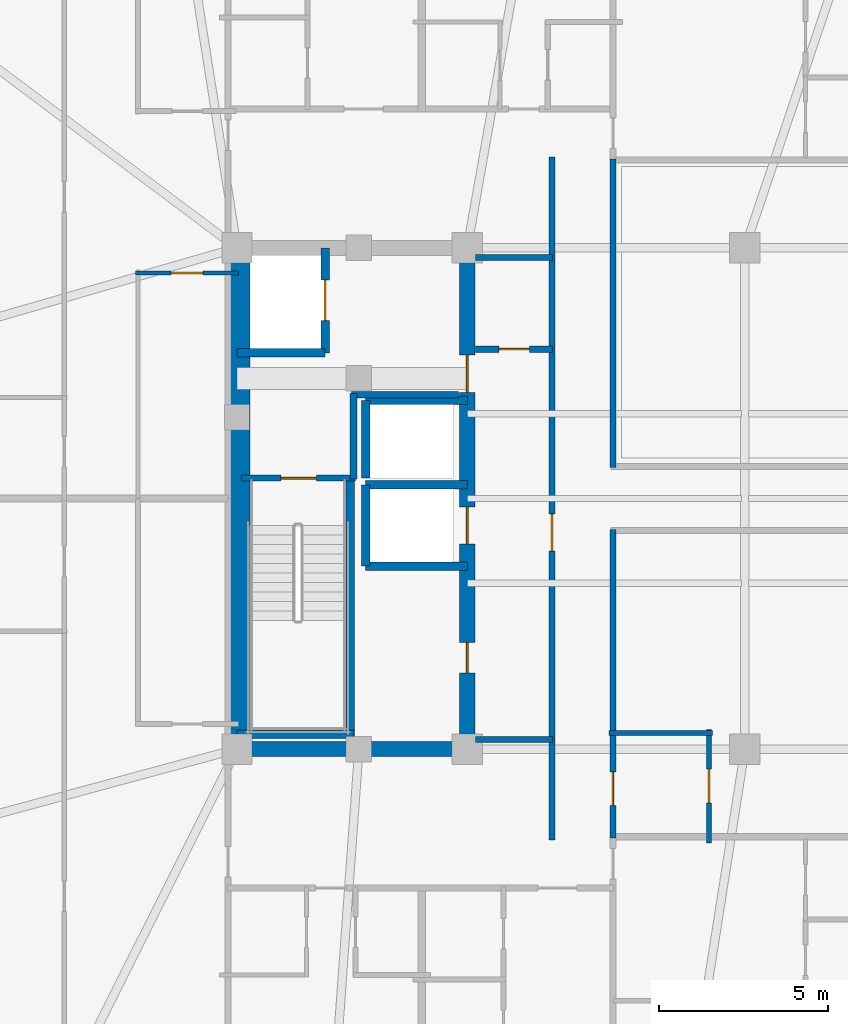
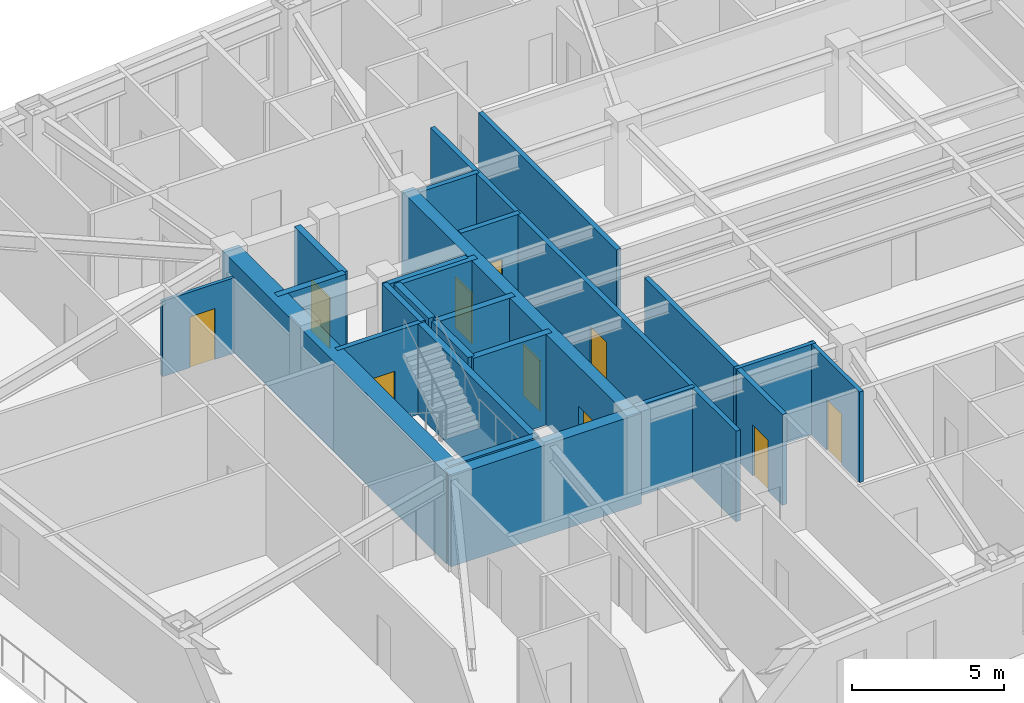
# One storey, part 4 of 15: 24 walls, 10 doors, 10 openings.
"""IFC4 building model written with IfcOpenShell, lengths in metres."""

from ifc_helpers import new_model, si_unit, direction, frame, frame_2d, origin, place, context, subcontext, project, spatial, rectangle, extrude, material, layer, layer_set, type_object, element, fill, save


model = new_model("IFC4")

# Units and contexts
model_context = context("Model", 3, precision=1e-05, world=origin(), true_north=direction((0.0, 1.0)))
body_context = subcontext(model_context, "Body", "Model", "MODEL_VIEW")
ifc_project = project(units=[si_unit("LENGTHUNIT", "METRE"), si_unit("AREAUNIT", "SQUARE_METRE"), si_unit("VOLUMEUNIT", "CUBIC_METRE"), si_unit("PLANEANGLEUNIT", "RADIAN"), si_unit("MASSUNIT", "GRAM", prefix="KILO")], contexts=[model_context])

# Site, building, storey
site_placement = place(None, origin())
site = spatial("IfcSite", under=ifc_project, at=site_placement, CompositionType="ELEMENT")
building_placement = place(site_placement, origin())
building = spatial("IfcBuilding", under=site, at=building_placement, Name="Voryun Gate Residences", CompositionType="ELEMENT")
storey_placement = place(building_placement, frame((0.0, 0.0, 171.60009765625)))
storey = spatial("IfcBuildingStorey", under=building, at=storey_placement, Name="L42", CompositionType="ELEMENT", Elevation=171.60009765625)

# Wall
ifc_material_1 = material(Name="Concrete C50/60", Category="concrete")
ifc_layer_1 = layer(ifc_material_1, 0.449951171875, Name="CW_CORE_450")
ifc_layer_set_1 = layer_set([ifc_layer_1], Name="Concrete C50/60")
wall_type_1 = type_object("IfcWallType", Name="CW_CORE_450", PredefinedType="SHEAR", material=ifc_layer_set_1)
wall_1_placement = place(storey_placement, frame((-19.425048828125, -7.39990234375, 0.0), z_axis=(0.0, 0.0, 1.0), x_axis=(1.0, 0.0, 0.0)))
element("IfcWall", 1, at=wall_1_placement, inside=storey, type_object=wall_type_1, Name="L42 Core shear wall CW-L42-WS", PredefinedType="SHEAR", context=body_context, shape_type="SweptSolid", body=[
    extrude(rectangle(XDim=7.25, YDim=0.449951171875, at=frame_2d((3.625, 0.0))), origin(), (0.0, 0.0, 1.0), 3.64990234375),
])

# Wall, openings, doors
wall_2_placement = place(storey_placement, frame((-12.39990234375, -7.39990234375, 0.0), z_axis=(0.0, 0.0, 1.0), x_axis=(0.0, 1.0, 0.0)))
wall_2 = element("IfcWall", 2, at=wall_2_placement, inside=storey, type_object=wall_type_1, Name="L42 Core shear wall CW-L42-WE", PredefinedType="SHEAR", context=body_context, shape_type="SweptSolid", body=[
    extrude(rectangle(XDim=14.7998046875, YDim=0.449951171875, at=frame_2d((7.39990234375, 0.0))), origin(), (0.0, 0.0, 1.0), 3.64990234375),
])
opening_1_placement = place(wall_2_placement, frame((6.050048828125, 0.0, 0.0)))
opening_1 = element("IfcOpeningElement", 3, at=opening_1_placement, cuts=wall_2, Name="Opening LD2", PredefinedType="OPENING", context=body_context, shape_type="SweptSolid", body=[
    extrude(rectangle(XDim=1.10009765625, YDim=2.050048828125, at=frame_2d((0.550048828125, 1.02490234375))), frame((0.0, 0.235107421875, 0.0), z_axis=(0.0, -1.0, 0.0), x_axis=(1.0, 0.0, 0.0)), (0.0, 0.0, 1.0), 0.469970703125),
])
opening_2_placement = place(wall_2_placement, frame((10.530029296875, 0.0, 0.0)))
opening_2 = element("IfcOpeningElement", 4, at=opening_2_placement, cuts=wall_2, Name="Opening D-FD60-2", PredefinedType="OPENING", context=body_context, shape_type="SweptSolid", body=[
    extrude(rectangle(XDim=1.10009765625, YDim=2.050048828125, at=frame_2d((0.550048828125, 1.02490234375))), frame((0.0, 0.235107421875, 0.0), z_axis=(0.0, -1.0, 0.0), x_axis=(1.0, 0.0, 0.0)), (0.0, 0.0, 1.0), 0.469970703125),
])
opening_3_placement = place(wall_2_placement, frame((2.25, 0.0, 0.0)))
opening_3 = element("IfcOpeningElement", 5, at=opening_3_placement, cuts=wall_2, Name="Opening D-FD60-4", PredefinedType="OPENING", context=body_context, shape_type="SweptSolid", body=[
    extrude(rectangle(XDim=0.89990234375, YDim=2.050048828125, at=frame_2d((0.449951171875, 1.02490234375))), frame((0.0, 0.235107421875, 0.0), z_axis=(0.0, -1.0, 0.0), x_axis=(1.0, 0.0, 0.0)), (0.0, 0.0, 1.0), 0.469970703125),
])
ifc_material_2 = material(Name="Painted steel fire door", Category="steel")
door_type_1 = type_object("IfcDoorType", Name="DR_FD60_FFLOB_1100", OperationType="NOTDEFINED", PredefinedType="DOOR", material=ifc_material_2)
door_1_placement = place(opening_2_placement, origin())
door_1 = element("IfcDoor", 6, at=door_1_placement, inside=storey, type_object=door_type_1, Name="Door DR-L42-CLOB-W", OperationType="SINGLE_SWING_LEFT", OverallHeight=2.050048828125, OverallWidth=1.10009765625, PredefinedType="DOOR", context=body_context, shape_type="SweptSolid", body=[
    extrude(rectangle(XDim=1.10009765625, YDim=2.050048828125, at=frame_2d((0.550048828125, 1.02490234375))), frame((0.0, 0.02490234375, 0.0), z_axis=(0.0, -1.0, 0.0), x_axis=(1.0, 0.0, 0.0)), (0.0, 0.0, 1.0), 0.050048828125),
])
fill(opening_2, door_1)
ifc_material_3 = material(Name="Painted steel fire door", Category="steel")
door_type_2 = type_object("IfcDoorType", Name="DR_FD60_RISER_900", OperationType="NOTDEFINED", PredefinedType="DOOR", material=ifc_material_3)
door_2_placement = place(opening_3_placement, origin())
door_2 = element("IfcDoor", 7, at=door_2_placement, inside=storey, type_object=door_type_2, Name="Door DR-L42-RECW1", OperationType="SINGLE_SWING_LEFT", OverallHeight=2.050048828125, OverallWidth=0.89990234375, PredefinedType="DOOR", context=body_context, shape_type="SweptSolid", body=[
    extrude(rectangle(XDim=0.89990234375, YDim=2.050048828125, at=frame_2d((0.449951171875, 1.02490234375))), frame((0.0, 0.02490234375, 0.0), z_axis=(0.0, -1.0, 0.0), x_axis=(1.0, 0.0, 0.0)), (0.0, 0.0, 1.0), 0.050048828125),
])
fill(opening_3, door_2)
ifc_material_4 = material(Name="Anodised aluminium", Category="aluminium")
door_type_3 = type_object("IfcDoorType", Name="DR_LD_PASS_1100", OperationType="NOTDEFINED", PredefinedType="DOOR", material=ifc_material_4)
door_3_placement = place(opening_1_placement, origin())
door_3 = element("IfcDoor", 8, at=door_3_placement, inside=storey, type_object=door_type_3, Name="Lift EL-P4 sliding landing door L42", OperationType="SLIDING_TO_LEFT", OverallHeight=2.050048828125, OverallWidth=1.10009765625, PredefinedType="DOOR", context=body_context, shape_type="SweptSolid", body=[
    extrude(rectangle(XDim=1.10009765625, YDim=2.050048828125, at=frame_2d((0.550048828125, 1.02490234375))), frame((0.0, 0.02490234375, 0.0), z_axis=(0.0, -1.0, 0.0), x_axis=(1.0, 0.0, 0.0)), (0.0, 0.0, 1.0), 0.050048828125),
])
fill(opening_1, door_3)

# Wall
ifc_material_5 = material(Name="Concrete C60/75", Category="concrete")
ifc_layer_2 = layer(ifc_material_5, 0.64990234375, Name="CW_CORE_650")
ifc_layer_set_2 = layer_set([ifc_layer_2], Name="Concrete C60/75")
wall_type_2 = type_object("IfcWallType", Name="CW_CORE_650", PredefinedType="SHEAR", material=ifc_layer_set_2)
wall_3_placement = place(storey_placement, frame((-19.14501953125, -7.39990234375, 0.0), z_axis=(0.0, 0.0, 1.0), x_axis=(0.0, 1.0, 0.0)))
element("IfcWall", 9, at=wall_3_placement, inside=storey, type_object=wall_type_2, Name="L42 Core shear wall CW-L42-WW", PredefinedType="SHEAR", context=body_context, shape_type="SweptSolid", body=[
    extrude(rectangle(XDim=14.7998046875, YDim=0.64990234375, at=frame_2d((7.39990234375, 0.0))), origin(), (0.0, 0.0, 1.0), 3.64990234375),
])

# Wall, opening, door
ifc_material_6 = material(Name="Gypsum acoustic fireboard")
ifc_layer_3 = layer(ifc_material_6, 0.179931640625, Name="W_CORR_RATED_180")
ifc_layer_set_3 = layer_set([ifc_layer_3], Name="Gypsum acoustic fireboard")
wall_type_3 = type_object("IfcWallType", Name="W_CORR_RATED_180", PredefinedType="PARTITIONING", material=ifc_layer_set_3)
wall_4_placement = place(storey_placement, frame((-19.06005859375, 0.60009765625, 0.0), z_axis=(0.0, 0.0, 1.0), x_axis=(1.0, 0.0, 0.0)))
wall_4 = element("IfcWall", 10, at=wall_4_placement, inside=storey, type_object=wall_type_3, Name="Partition wall WP-L42-STV-W", PredefinedType="PARTITIONING", context=body_context, shape_type="SweptSolid", body=[
    extrude(rectangle(XDim=3.360107421875, YDim=0.179931640625, at=frame_2d((1.68017578125, 0.0))), origin(), (0.0, 0.0, 1.0), 3.64990234375),
])
opening_4_placement = place(wall_4_placement, frame((1.155029296875, 0.0, 0.0)))
opening_4 = element("IfcOpeningElement", 11, at=opening_4_placement, cuts=wall_4, Name="Opening D-FD60-1", PredefinedType="OPENING", context=body_context, shape_type="SweptSolid", body=[
    extrude(rectangle(XDim=1.050048828125, YDim=2.050048828125, at=frame_2d((0.52490234375, 1.02490234375))), frame((0.0, 0.099853515625, 0.0), z_axis=(0.0, -1.0, 0.0), x_axis=(1.0, 0.0, 0.0)), (0.0, 0.0, 1.0), 0.199951171875),
])
ifc_material_7 = material(Name="Painted steel fire door", Category="steel")
door_type_4 = type_object("IfcDoorType", Name="DR_FD60_STAIR_1050", OperationType="NOTDEFINED", PredefinedType="DOOR", material=ifc_material_7)
door_4_placement = place(opening_4_placement, origin())
door_4 = element("IfcDoor", 12, at=door_4_placement, inside=storey, type_object=door_type_4, Name="Door DR-L42-ST-W", OperationType="SINGLE_SWING_LEFT", OverallHeight=2.050048828125, OverallWidth=1.050048828125, PredefinedType="DOOR", context=body_context, shape_type="SweptSolid", body=[
    extrude(rectangle(XDim=1.050048828125, YDim=2.050048828125, at=frame_2d((0.52490234375, 1.02490234375))), frame((0.0, 0.02490234375, 0.0), z_axis=(0.0, -1.0, 0.0), x_axis=(1.0, 0.0, 0.0)), (0.0, 0.0, 1.0), 0.050048828125),
])
fill(opening_4, door_4)

# Walls
for number, where, z_axis, x_axis, name in (
    (13, (-12.14990234375, 7.1201171875, 0.0), (0.0, 0.0, 1.0), (1.0, 0.0, 0.0), "Partition wall WP-L42-PLBN-W"),
    (14, (-12.14990234375, -7.1201171875, 0.0), (0.0, 0.0, 1.0), (1.0, 0.0, 0.0), "Partition wall WP-L42-PLBS-W"),
):
    element("IfcWall", number, at=place(storey_placement, frame(where, z_axis=z_axis, x_axis=x_axis)), inside=storey, type_object=wall_type_3, Name=name, PredefinedType="PARTITIONING", context=body_context, shape_type="SweptSolid", body=[
        extrude(rectangle(XDim=2.27001953125, YDim=0.179931640625, at=frame_2d((1.135009765625, 0.0))), origin(), (0.0, 0.0, 1.0), 3.64990234375),
    ])

# Wall, opening, door
wall_5_placement = place(storey_placement, frame((-9.89990234375, -10.080078125, 0.0), z_axis=(0.0, 0.0, 1.0), x_axis=(0.0, 1.0, 0.0)))
wall_5 = element("IfcWall", 15, at=wall_5_placement, inside=storey, type_object=wall_type_3, Name="Partition wall WP-L42-PLBW-FULL", PredefinedType="PARTITIONING", context=body_context, shape_type="SweptSolid", body=[
    extrude(rectangle(XDim=20.16015625, YDim=0.179931640625, at=frame_2d((10.080078125, 0.0))), origin(), (0.0, 0.0, 1.0), 3.64990234375),
])
opening_5_placement = place(wall_5_placement, frame((8.52197265625, 0.0, 0.0)))
opening_5 = element("IfcOpeningElement", 16, at=opening_5_placement, cuts=wall_5, Name="Opening D-FD60-2", PredefinedType="OPENING", context=body_context, shape_type="SweptSolid", body=[
    extrude(rectangle(XDim=1.10009765625, YDim=2.050048828125, at=frame_2d((0.550048828125, 1.02490234375))), frame((0.0, 0.099853515625, 0.0), z_axis=(0.0, -1.0, 0.0), x_axis=(1.0, 0.0, 0.0)), (0.0, 0.0, 1.0), 0.199951171875),
])
door_5_placement = place(opening_5_placement, origin())
door_5 = element("IfcDoor", 17, at=door_5_placement, inside=storey, type_object=door_type_1, Name="Door DR-L42-PLBW-COR", OperationType="SINGLE_SWING_LEFT", OverallHeight=2.050048828125, OverallWidth=1.10009765625, PredefinedType="DOOR", context=body_context, shape_type="SweptSolid", body=[
    extrude(rectangle(XDim=1.10009765625, YDim=2.050048828125, at=frame_2d((0.550048828125, 1.02490234375))), frame((0.0, 0.02490234375, 0.0), z_axis=(0.0, -1.0, 0.0), x_axis=(1.0, 0.0, 0.0)), (0.0, 0.0, 1.0), 0.050048828125),
])
fill(opening_5, door_5)

# Wall
wall_6_placement = place(storey_placement, frame((-8.10009765625, 0.919921875, 0.0), z_axis=(0.0, 0.0, 1.0), x_axis=(0.0, 1.0, 0.0)))
element("IfcWall", 18, at=wall_6_placement, inside=storey, type_object=wall_type_3, Name="Partition wall WP-L42-Z2WL1", PredefinedType="PARTITIONING", context=body_context, shape_type="SweptSolid", body=[
    extrude(rectangle(XDim=9.110107421875, YDim=0.179931640625, at=frame_2d((4.55517578125, 0.0))), origin(), (0.0, 0.0, 1.0), 3.64990234375),
])

# Wall, opening, door
wall_7_placement = place(storey_placement, frame((-8.10009765625, -10.030029296875, 0.0), z_axis=(0.0, 0.0, 1.0), x_axis=(0.0, 1.0, 0.0)))
wall_7 = element("IfcWall", 19, at=wall_7_placement, inside=storey, type_object=wall_type_3, Name="Partition wall WP-L42-Z2WL2", PredefinedType="PARTITIONING", context=body_context, shape_type="SweptSolid", body=[
    extrude(rectangle(XDim=9.110107421875, YDim=0.179931640625, at=frame_2d((4.55517578125, 0.0))), origin(), (0.0, 0.0, 1.0), 3.64990234375),
])
opening_6_placement = place(wall_7_placement, frame((0.95751953125, 0.0, 0.0)))
opening_6 = element("IfcOpeningElement", 20, at=opening_6_placement, cuts=wall_7, Name="Opening D-AWC-1", PredefinedType="OPENING", context=body_context, shape_type="SweptSolid", body=[
    extrude(rectangle(XDim=1.0, YDim=2.050048828125, at=frame_2d((0.5, 1.02490234375))), frame((0.0, 0.099853515625, 0.0), z_axis=(0.0, -1.0, 0.0), x_axis=(1.0, 0.0, 0.0)), (0.0, 0.0, 1.0), 0.199951171875),
])
ifc_material_8 = material(Name="Architectural oak veneer")
door_type_5 = type_object("IfcDoorType", Name="DR_ACC_WC_1000", OperationType="NOTDEFINED", PredefinedType="DOOR", material=ifc_material_8)
door_6_placement = place(opening_6_placement, origin())
door_6 = element("IfcDoor", 21, at=door_6_placement, inside=storey, type_object=door_type_5, Name="Door DR-L42-CMWC-D", OperationType="SINGLE_SWING_LEFT", OverallHeight=2.050048828125, OverallWidth=1.0, PredefinedType="DOOR", context=body_context, shape_type="SweptSolid", body=[
    extrude(rectangle(XDim=1.0, YDim=2.050048828125, at=frame_2d((0.5, 1.02490234375))), frame((0.0, 0.02490234375, 0.0), z_axis=(0.0, -1.0, 0.0), x_axis=(1.0, 0.0, 0.0)), (0.0, 0.0, 1.0), 0.050048828125),
])
fill(opening_6, door_6)

# Walls
ifc_material_9 = material(Name="Concrete C40/50", Category="concrete")
ifc_layer_4 = layer(ifc_material_9, 0.199951171875, Name="W_FF_LOBBY_200")
ifc_layer_set_4 = layer_set([ifc_layer_4], Name="Concrete C40/50")
wall_type_4 = type_object("IfcWallType", Name="W_FF_LOBBY_200", PredefinedType="PARTITIONING", material=ifc_layer_set_4)
wall_8_placement = place(storey_placement, frame((-15.760009765625, 0.580078125, 0.0), z_axis=(0.0, 0.0, 1.0), x_axis=(0.0, 1.0, 0.0)))
element("IfcWall", 22, at=wall_8_placement, inside=storey, type_object=wall_type_4, Name="Partition wall WP-L42-FFP0-W", PredefinedType="PARTITIONING", context=body_context, shape_type="SweptSolid", body=[
    extrude(rectangle(XDim=2.52001953125, YDim=0.199951171875, at=frame_2d((1.260009765625, 0.0))), origin(), (0.0, 0.0, 1.0), 3.64990234375),
])
wall_9_placement = place(storey_placement, frame((-15.820068359375, 3.06005859375, 0.0), z_axis=(0.0, 0.0, 1.0), x_axis=(1.0, 0.0, 0.0)))
element("IfcWall", 23, at=wall_9_placement, inside=storey, type_object=wall_type_4, Name="Partition wall WP-L42-FFPS-W", PredefinedType="PARTITIONING", context=body_context, shape_type="SweptSolid", body=[
    extrude(rectangle(XDim=3.16015625, YDim=0.199951171875, at=frame_2d((1.580078125, 0.0))), origin(), (0.0, 0.0, 1.0), 3.64990234375),
])

# Wall, opening, door
wall_10_placement = place(storey_placement, frame((-12.14990234375, 4.409912109375, 0.0), z_axis=(0.0, 0.0, 1.0), x_axis=(1.0, 0.0, 0.0)))
wall_10 = element("IfcWall", 24, at=wall_10_placement, inside=storey, type_object=wall_type_4, Name="Partition wall WP-L42-CSFLKS-W", PredefinedType="PARTITIONING", context=body_context, shape_type="SweptSolid", body=[
    extrude(rectangle(XDim=2.27001953125, YDim=0.199951171875, at=frame_2d((1.135009765625, 0.0))), origin(), (0.0, 0.0, 1.0), 3.64990234375),
])
opening_7_placement = place(wall_10_placement, frame((0.68505859375, 0.0, 0.0)))
opening_7 = element("IfcOpeningElement", 25, at=opening_7_placement, cuts=wall_10, Name="Opening D-FD60-4", PredefinedType="OPENING", context=body_context, shape_type="SweptSolid", body=[
    extrude(rectangle(XDim=0.89990234375, YDim=2.050048828125, at=frame_2d((0.449951171875, 1.02490234375))), frame((0.0, 0.110107421875, 0.0), z_axis=(0.0, -1.0, 0.0), x_axis=(1.0, 0.0, 0.0)), (0.0, 0.0, 1.0), 0.219970703125),
])
door_7_placement = place(opening_7_placement, origin())
door_7 = element("IfcDoor", 26, at=door_7_placement, inside=storey, type_object=door_type_2, Name="Door DR-L42-CSFLK-W", OperationType="SINGLE_SWING_LEFT", OverallHeight=2.050048828125, OverallWidth=0.89990234375, PredefinedType="DOOR", context=body_context, shape_type="SweptSolid", body=[
    extrude(rectangle(XDim=0.89990234375, YDim=2.050048828125, at=frame_2d((0.449951171875, 1.02490234375))), frame((0.0, 0.02490234375, 0.0), z_axis=(0.0, -1.0, 0.0), x_axis=(1.0, 0.0, 0.0)), (0.0, 0.0, 1.0), 0.050048828125),
])
fill(opening_7, door_7)

# Walls
ifc_material_10 = material(Name="Concrete C50/60", Category="concrete")
ifc_layer_5 = layer(ifc_material_10, 0.25, Name="W_SHAFT_RC250")
ifc_layer_set_5 = layer_set([ifc_layer_5], Name="Concrete C50/60")
wall_type_5 = type_object("IfcWallType", Name="W_SHAFT_RC250", PredefinedType="SOLIDWALL", material=ifc_layer_set_5)
wall_11_placement = place(storey_placement, frame((-15.860107421875, -7.0849609375, 0.0), z_axis=(0.0, 0.0, 1.0), x_axis=(0.0, 1.0, 0.0)))
element("IfcWall", 27, at=wall_11_placement, inside=storey, type_object=wall_type_5, Name="L42 Stair shaft structural wall W-STR", PredefinedType="SOLIDWALL", context=body_context, shape_type="SweptSolid", body=[
    extrude(rectangle(XDim=7.68505859375, YDim=0.25, at=frame_2d((3.842529296875, 0.0))), origin(), (0.0, 0.0, 1.0), 3.64990234375),
])
wall_12_placement = place(storey_placement, frame((-19.199951171875, -6.965087890625, 0.0), z_axis=(0.0, 0.0, 1.0), x_axis=(1.0, 0.0, 0.0)))
element("IfcWall", 28, at=wall_12_placement, inside=storey, type_object=wall_type_5, Name="L42 Stair shaft structural wall W-STS", PredefinedType="SOLIDWALL", context=body_context, shape_type="SweptSolid", body=[
    extrude(rectangle(XDim=3.4599609375, YDim=0.25, at=frame_2d((1.72998046875, 0.0))), origin(), (0.0, 0.0, 1.0), 3.64990234375),
])
wall_13_placement = place(storey_placement, frame((-19.199951171875, 4.300048828125, 0.0), z_axis=(0.0, 0.0, 1.0), x_axis=(1.0, 0.0, 0.0)))
element("IfcWall", 29, at=wall_13_placement, inside=storey, type_object=wall_type_5, Name="Lift shaft wall WSH-L42-EL-FF-W1-S", PredefinedType="SOLIDWALL", context=body_context, shape_type="SweptSolid", body=[
    extrude(rectangle(XDim=2.599853515625, YDim=0.25, at=frame_2d((1.2998046875, 0.0))), origin(), (0.0, 0.0, 1.0), 3.64990234375),
])

# Wall, opening, door
wall_14_placement = place(storey_placement, frame((-16.60009765625, 4.300048828125, 0.0), z_axis=(0.0, 0.0, 1.0), x_axis=(0.0, 1.0, 0.0)))
wall_14 = element("IfcWall", 30, at=wall_14_placement, inside=storey, type_object=wall_type_5, Name="Lift shaft wall WSH-L42-EL-FF-W1-E", PredefinedType="SOLIDWALL", context=body_context, shape_type="SweptSolid", body=[
    extrude(rectangle(XDim=3.099853515625, YDim=0.25, at=frame_2d((1.5498046875, 0.0))), origin(), (0.0, 0.0, 1.0), 3.64990234375),
])
opening_8_placement = place(wall_14_placement, frame((0.949951171875, 0.0, 0.0)))
opening_8 = element("IfcOpeningElement", 31, at=opening_8_placement, cuts=wall_14, Name="Opening LD1", PredefinedType="OPENING", context=body_context, shape_type="SweptSolid", body=[
    extrude(rectangle(XDim=1.199951171875, YDim=2.050048828125, at=frame_2d((0.60009765625, 1.02490234375))), frame((0.0, 0.135009765625, 0.0), z_axis=(0.0, -1.0, 0.0), x_axis=(1.0, 0.0, 0.0)), (0.0, 0.0, 1.0), 0.27001953125),
])
ifc_material_11 = material(Name="Anodised aluminium", Category="aluminium")
door_type_6 = type_object("IfcDoorType", Name="DR_LD_FF_1200", OperationType="NOTDEFINED", PredefinedType="DOOR", material=ifc_material_11)
door_8_placement = place(opening_8_placement, origin())
door_8 = element("IfcDoor", 32, at=door_8_placement, inside=storey, type_object=door_type_6, Name="Lift EL-FF-W1 sliding landing door L42", OperationType="SLIDING_TO_LEFT", OverallHeight=2.050048828125, OverallWidth=1.199951171875, PredefinedType="DOOR", context=body_context, shape_type="SweptSolid", body=[
    extrude(rectangle(XDim=1.199951171875, YDim=2.050048828125, at=frame_2d((0.60009765625, 1.02490234375))), frame((0.0, 0.02490234375, 0.0), z_axis=(0.0, -1.0, 0.0), x_axis=(1.0, 0.0, 0.0)), (0.0, 0.0, 1.0), 0.050048828125),
])
fill(opening_8, door_8)

# Walls
for number, where, z_axis, x_axis, name in (
    (33, (-15.39990234375, -2.0, 0.0), (0.0, 0.0, 1.0), (1.0, 0.0, 0.0), "Lift shaft wall WSH-L42-EL-P4-S"),
    (34, (-12.39990234375, 0.39990234375, 0.0), (0.0, 0.0, 1.0), (-1.0, 0.0, 0.0), "Lift shaft wall WSH-L42-EL-P4-N"),
):
    element("IfcWall", number, at=place(storey_placement, frame(where, z_axis=z_axis, x_axis=x_axis)), inside=storey, type_object=wall_type_5, Name=name, PredefinedType="SOLIDWALL", context=body_context, shape_type="SweptSolid", body=[
        extrude(rectangle(XDim=3.0, YDim=0.25, at=frame_2d((1.5, 0.0))), origin(), (0.0, 0.0, 1.0), 3.64990234375),
    ])
wall_15_placement = place(storey_placement, frame((-15.39990234375, 0.39990234375, 0.0), z_axis=(0.0, 0.0, 1.0), x_axis=(0.0, -1.0, 0.0)))
element("IfcWall", 35, at=wall_15_placement, inside=storey, type_object=wall_type_5, Name="Lift shaft wall WSH-L42-EL-P4-W", PredefinedType="SOLIDWALL", context=body_context, shape_type="SweptSolid", body=[
    extrude(rectangle(XDim=2.39990234375, YDim=0.25, at=frame_2d((1.199951171875, 0.0))), origin(), (0.0, 0.0, 1.0), 3.64990234375),
])
wall_16_placement = place(storey_placement, frame((-12.39990234375, 2.89990234375, 0.0), z_axis=(0.0, 0.0, 1.0), x_axis=(-1.0, 0.0, 0.0)))
element("IfcWall", 36, at=wall_16_placement, inside=storey, type_object=wall_type_5, Name="Lift shaft wall WSH-L42-EL-P7-N", PredefinedType="SOLIDWALL", context=body_context, shape_type="SweptSolid", body=[
    extrude(rectangle(XDim=3.0, YDim=0.25, at=frame_2d((1.5, 0.0))), origin(), (0.0, 0.0, 1.0), 3.64990234375),
])
wall_17_placement = place(storey_placement, frame((-15.39990234375, 2.89990234375, 0.0), z_axis=(0.0, 0.0, 1.0), x_axis=(0.0, -1.0, 0.0)))
element("IfcWall", 37, at=wall_17_placement, inside=storey, type_object=wall_type_5, Name="Lift shaft wall WSH-L42-EL-P7-W", PredefinedType="SOLIDWALL", context=body_context, shape_type="SweptSolid", body=[
    extrude(rectangle(XDim=2.2998046875, YDim=0.25, at=frame_2d((1.14990234375, 0.0))), origin(), (0.0, 0.0, 1.0), 3.64990234375),
])

# Wall, opening, door
ifc_material_12 = material(Name="Gypsum acoustic partition")
ifc_layer_6 = layer(ifc_material_12, 0.125, Name="W_UNIT_PART_125")
ifc_layer_set_6 = layer_set([ifc_layer_6], Name="Gypsum acoustic partition")
wall_type_6 = type_object("IfcWallType", Name="W_UNIT_PART_125", PredefinedType="PARTITIONING", material=ifc_layer_set_6)
wall_18_placement = place(storey_placement, frame((-22.199951171875, 6.659912109375, 0.0), z_axis=(0.0, 0.0, 1.0), x_axis=(1.0, 0.0, 0.0)))
wall_18 = element("IfcWall", 38, at=wall_18_placement, inside=storey, type_object=wall_type_6, Name="Partition wall WP-L42-W2-IKA", PredefinedType="PARTITIONING", context=body_context, shape_type="SweptSolid", body=[
    extrude(rectangle(XDim=3.050048828125, YDim=0.125, at=frame_2d((1.52490234375, 0.0))), origin(), (0.0, 0.0, 1.0), 3.039794921875),
])
opening_9_placement = place(wall_18_placement, frame((1.050048828125, 0.0, 0.0)))
opening_9 = element("IfcOpeningElement", 39, at=opening_9_placement, cuts=wall_18, Name="Opening D-INT-1", PredefinedType="OPENING", context=body_context, shape_type="SweptSolid", body=[
    extrude(rectangle(XDim=0.949951171875, YDim=2.050048828125, at=frame_2d((0.47509765625, 1.02490234375))), frame((0.0, 0.072509765625, 0.0), z_axis=(0.0, -1.0, 0.0), x_axis=(1.0, 0.0, 0.0)), (0.0, 0.0, 1.0), 0.14501953125),
])
ifc_material_13 = material(Name="Architectural oak veneer")
door_type_7 = type_object("IfcDoorType", Name="DR_INT_ROOM_950", OperationType="NOTDEFINED", PredefinedType="DOOR", material=ifc_material_13)
door_9_placement = place(opening_9_placement, origin())
door_9 = element("IfcDoor", 40, at=door_9_placement, inside=storey, type_object=door_type_7, Name="Door DR-L42-W2-DK", OperationType="SINGLE_SWING_LEFT", OverallHeight=2.050048828125, OverallWidth=0.949951171875, PredefinedType="DOOR", context=body_context, shape_type="SweptSolid", body=[
    extrude(rectangle(XDim=0.949951171875, YDim=2.050048828125, at=frame_2d((0.47509765625, 1.02490234375))), frame((0.0, 0.02490234375, 0.0), z_axis=(0.0, -1.0, 0.0), x_axis=(1.0, 0.0, 0.0)), (0.0, 0.0, 1.0), 0.050048828125),
])
fill(opening_9, door_9)

ifc_material_14 = material(Name="Gypsum moisture-resistant partition")
ifc_layer_7 = layer(ifc_material_14, 0.14990234375, Name="W_WET_PLUMB_150")
ifc_layer_set_7 = layer_set([ifc_layer_7], Name="Gypsum moisture-resistant partition")
wall_type_7 = type_object("IfcWallType", Name="W_WET_PLUMB_150", PredefinedType="PLUMBINGWALL", material=ifc_layer_set_7)
wall_19_placement = place(storey_placement, frame((-5.260009765625, -10.169921875, 0.0), z_axis=(0.0, 0.0, 1.0), x_axis=(0.0, 1.0, 0.0)))
wall_19 = element("IfcWall", 41, at=wall_19_placement, inside=storey, type_object=wall_type_7, Name="Partition wall WP-L42-CMWCX", PredefinedType="PLUMBINGWALL", context=body_context, shape_type="SweptSolid", body=[
    extrude(rectangle(XDim=3.349853515625, YDim=0.14990234375, at=frame_2d((1.6748046875, 0.0))), origin(), (0.0, 0.0, 1.0), 3.64990234375),
])
opening_10_placement = place(wall_19_placement, frame((1.175048828125, 0.0, 0.0)))
opening_10 = element("IfcOpeningElement", 42, at=opening_10_placement, cuts=wall_19, Name="Opening D-AWC-1", PredefinedType="OPENING", context=body_context, shape_type="SweptSolid", body=[
    extrude(rectangle(XDim=1.0, YDim=2.050048828125, at=frame_2d((0.5, 1.02490234375))), frame((0.0, 0.0849609375, 0.0), z_axis=(0.0, -1.0, 0.0), x_axis=(1.0, 0.0, 0.0)), (0.0, 0.0, 1.0), 0.169921875),
])
door_10_placement = place(opening_10_placement, origin())
door_10 = element("IfcDoor", 43, at=door_10_placement, inside=storey, type_object=door_type_5, Name="Door DR-L42-CMWC", OperationType="SINGLE_SWING_LEFT", OverallHeight=2.050048828125, OverallWidth=1.0, PredefinedType="DOOR", context=body_context, shape_type="SweptSolid", body=[
    extrude(rectangle(XDim=1.0, YDim=2.050048828125, at=frame_2d((0.5, 1.02490234375))), frame((0.0, 0.02490234375, 0.0), z_axis=(0.0, -1.0, 0.0), x_axis=(1.0, 0.0, 0.0)), (0.0, 0.0, 1.0), 0.050048828125),
])
fill(opening_10, door_10)

# Wall
wall_20_placement = place(storey_placement, frame((-8.2099609375, -6.919921875, 0.0), z_axis=(0.0, 0.0, 1.0), x_axis=(1.0, 0.0, 0.0)))
element("IfcWall", 44, at=wall_20_placement, inside=storey, type_object=wall_type_7, Name="Partition wall WP-L42-CMWCY", PredefinedType="PLUMBINGWALL", context=body_context, shape_type="SweptSolid", body=[
    extrude(rectangle(XDim=3.050048828125, YDim=0.14990234375, at=frame_2d((1.52490234375, 0.0))), origin(), (0.0, 0.0, 1.0), 3.64990234375),
])

save(model, "model.ifc")
